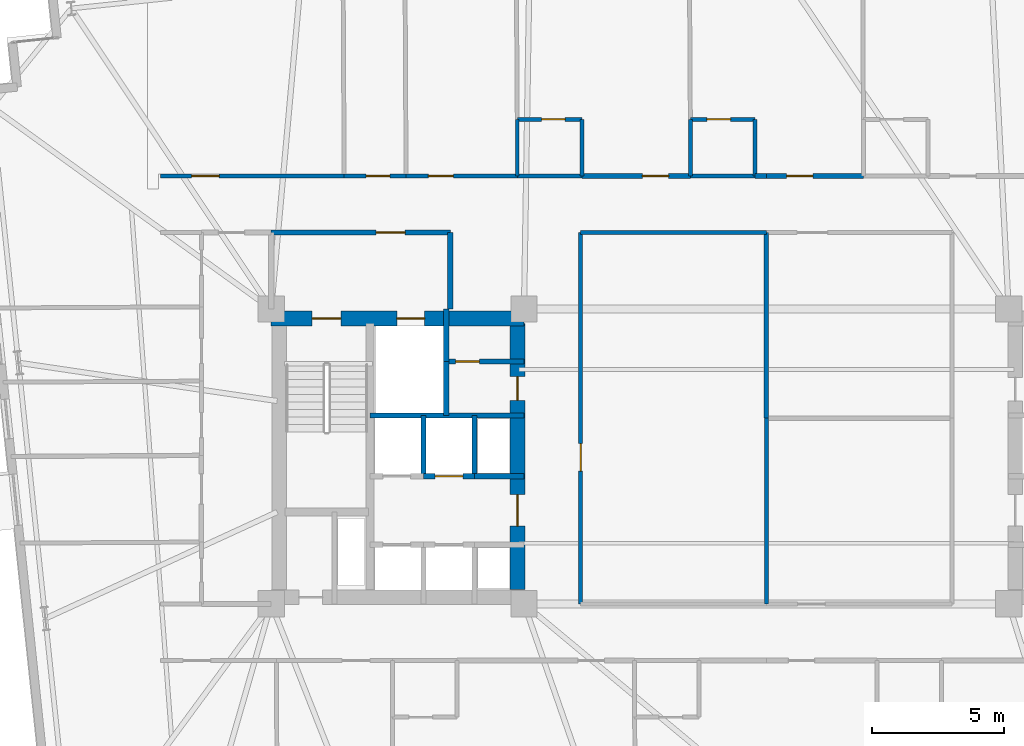
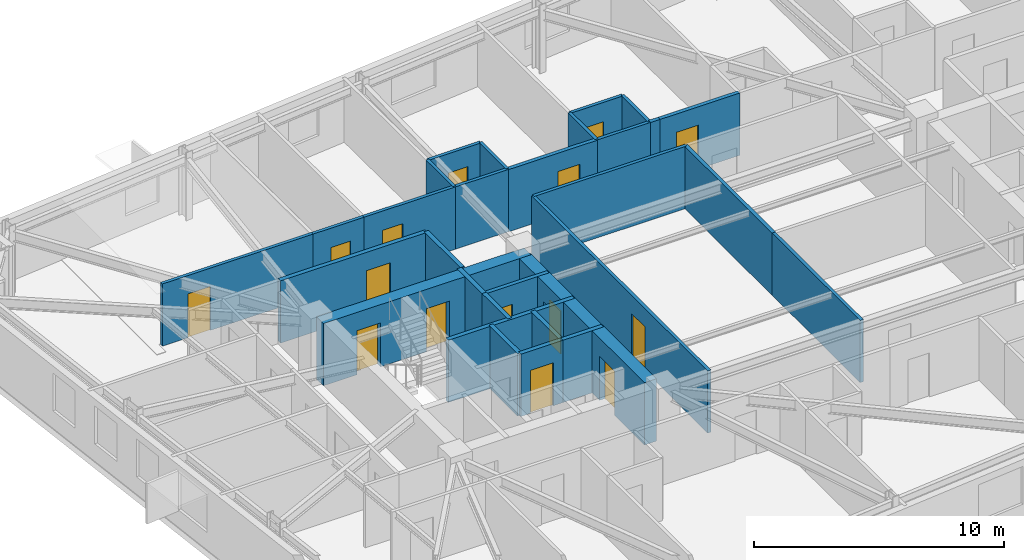
# One storey, part 13 of 19: 30 walls, 15 doors, 15 openings.
"""IFC4 building model written with IfcOpenShell, lengths in metres."""

from ifc_helpers import new_model, si_unit, direction, frame, frame_2d, origin, place, context, subcontext, project, spatial, rectangle, extrude, material, layer, layer_set, type_object, element, fill, save


model = new_model("IFC4")

# Units and contexts
model_context = context("Model", 3, precision=1e-05, world=origin(), true_north=direction((0.0, 1.0)))
body_context = subcontext(model_context, "Body", "Model", "MODEL_VIEW")
ifc_project = project(units=[si_unit("LENGTHUNIT", "METRE"), si_unit("AREAUNIT", "SQUARE_METRE"), si_unit("VOLUMEUNIT", "CUBIC_METRE"), si_unit("PLANEANGLEUNIT", "RADIAN"), si_unit("MASSUNIT", "GRAM", prefix="KILO")], contexts=[model_context])

# Site, building, storey
site_placement = place(None, origin())
site = spatial("IfcSite", under=ifc_project, at=site_placement, CompositionType="ELEMENT")
building_placement = place(site_placement, origin())
building = spatial("IfcBuilding", under=site, at=building_placement, Name="Qobustan Lattice House", CompositionType="ELEMENT")
storey_placement = place(building_placement, frame((0.0, 0.0, 82.35009765625)))
storey = spatial("IfcBuildingStorey", under=building, at=storey_placement, Name="L22", CompositionType="ELEMENT", Elevation=82.35009765625)

# Wall, openings, doors
ifc_material_1 = material(Name="Concrete C60/75", Category="concrete")
ifc_layer_1 = layer(ifc_material_1, 0.56005859375)
ifc_layer_set_1 = layer_set([ifc_layer_1], Name="Concrete C60/75")
wall_type_1 = type_object("IfcWallType", Name="WAL-CORE-600", PredefinedType="SHEAR", material=ifc_layer_set_1)
wall_1_placement = place(storey_placement, frame((-18.800048828125, 5.239990234375, 0.0), z_axis=(0.0, 0.0, 1.0), x_axis=(1.0, 0.0, 0.0)))
wall_1 = element("IfcWall", 1, at=wall_1_placement, inside=storey, type_object=wall_type_1, Name="L22 split-core shear wall CW-N", PredefinedType="SHEAR", context=body_context, shape_type="SweptSolid", body=[
    extrude(rectangle(XDim=9.60009765625, YDim=0.56005859375, at=frame_2d((4.800048828125, 0.0))), origin(), (0.0, 0.0, 1.0), 3.044921875),
])
opening_1_placement = place(wall_1_placement, frame((1.550048828125, 0.0, 0.0)))
opening_1 = element("IfcOpeningElement", 2, at=opening_1_placement, cuts=wall_1, Name="Opening SD-01", PredefinedType="OPENING", context=body_context, shape_type="SweptSolid", body=[
    extrude(rectangle(XDim=1.10009765625, YDim=2.14990234375, at=frame_2d((0.550048828125, 1.074951171875))), frame((0.0, 0.2900390625, 0.0), z_axis=(0.0, -1.0, 0.0), x_axis=(1.0, 0.0, 0.0)), (0.0, 0.0, 1.0), 0.580078125),
])
opening_2_placement = place(wall_1_placement, frame((4.77490234375, 0.0, 0.0)))
opening_2 = element("IfcOpeningElement", 3, at=opening_2_placement, cuts=wall_1, Name="Opening LD-01", PredefinedType="OPENING", context=body_context, shape_type="SweptSolid", body=[
    extrude(rectangle(XDim=1.050048828125, YDim=2.10009765625, at=frame_2d((0.52490234375, 1.050048828125))), frame((0.0, 0.2900390625, 0.0), z_axis=(0.0, -1.0, 0.0), x_axis=(1.0, 0.0, 0.0)), (0.0, 0.0, 1.0), 0.580078125),
])
ifc_material_2 = material(Name="Persian walnut timber and steel frame door", Category="steel")
door_type_1 = type_object("IfcDoorType", Name="DOR-LIFT-LD-1050x2100", OperationType="NOTDEFINED", PredefinedType="DOOR", material=ifc_material_2)
door_1_placement = place(opening_2_placement, origin())
door_1 = element("IfcDoor", 4, at=door_1_placement, inside=storey, type_object=door_type_1, Name="L22 firefighting lift FF-W landing door", OperationType="DOUBLE_DOOR_SLIDING", OverallHeight=2.10009765625, OverallWidth=1.050048828125, PredefinedType="DOOR", context=body_context, shape_type="SweptSolid", body=[
    extrude(rectangle(XDim=1.050048828125, YDim=2.10009765625, at=frame_2d((0.52490234375, 1.050048828125))), frame((0.0, 0.02490234375, 0.0), z_axis=(0.0, -1.0, 0.0), x_axis=(1.0, 0.0, 0.0)), (0.0, 0.0, 1.0), 0.050048828125),
])
fill(opening_2, door_1)
ifc_material_3 = material(Name="Persian walnut timber and steel frame door", Category="steel")
door_type_2 = type_object("IfcDoorType", Name="DOR-STAIR-FD-1100x2150", OperationType="NOTDEFINED", PredefinedType="DOOR", material=ifc_material_3)
door_2_placement = place(opening_1_placement, origin())
door_2 = element("IfcDoor", 5, at=door_2_placement, inside=storey, type_object=door_type_2, Name="L22 exit stair ST-W1 fire door", OperationType="SINGLE_SWING_LEFT", OverallHeight=2.14990234375, OverallWidth=1.10009765625, PredefinedType="DOOR", context=body_context, shape_type="SweptSolid", body=[
    extrude(rectangle(XDim=1.10009765625, YDim=2.14990234375, at=frame_2d((0.550048828125, 1.074951171875))), frame((0.0, 0.02490234375, 0.0), z_axis=(0.0, -1.0, 0.0), x_axis=(1.0, 0.0, 0.0)), (0.0, 0.0, 1.0), 0.050048828125),
])
fill(opening_1, door_2)

wall_2_placement = place(storey_placement, frame((-9.449951171875, -5.050048828125, 0.0), z_axis=(0.0, 0.0, 1.0), x_axis=(0.0, 1.0, 0.0)))
wall_2 = element("IfcWall", 6, at=wall_2_placement, inside=storey, type_object=wall_type_1, Name="L22 split-core shear wall CW-E", PredefinedType="SHEAR", context=body_context, shape_type="SweptSolid", body=[
    extrude(rectangle(XDim=10.10009765625, YDim=0.56005859375, at=frame_2d((5.050048828125, 0.0))), origin(), (0.0, 0.0, 1.0), 3.044921875),
])
opening_3_placement = place(wall_2_placement, frame((7.175048828125, 0.0, 0.0)))
opening_3 = element("IfcOpeningElement", 7, at=opening_3_placement, cuts=wall_2, Name="Opening RD-01", PredefinedType="OPENING", context=body_context, shape_type="SweptSolid", body=[
    extrude(rectangle(XDim=0.89990234375, YDim=2.10009765625, at=frame_2d((0.449951171875, 1.050048828125))), frame((0.0, 0.2900390625, 0.0), z_axis=(0.0, -1.0, 0.0), x_axis=(1.0, 0.0, 0.0)), (0.0, 0.0, 1.0), 0.580078125),
])
opening_4_placement = place(wall_2_placement, frame((2.39990234375, 0.0, 0.0)))
opening_4 = element("IfcOpeningElement", 8, at=opening_4_placement, cuts=wall_2, Name="Opening FD-01", PredefinedType="OPENING", context=body_context, shape_type="SweptSolid", body=[
    extrude(rectangle(XDim=1.199951171875, YDim=2.14990234375, at=frame_2d((0.60009765625, 1.074951171875))), frame((0.0, 0.2900390625, 0.0), z_axis=(0.0, -1.0, 0.0), x_axis=(1.0, 0.0, 0.0)), (0.0, 0.0, 1.0), 0.580078125),
])
ifc_material_4 = material(Name="Persian walnut timber and steel frame door", Category="steel")
door_type_3 = type_object("IfcDoorType", Name="DOR-LOBBY-FD-1200x2150", OperationType="NOTDEFINED", PredefinedType="DOOR", material=ifc_material_4)
door_3_placement = place(opening_4_placement, origin())
door_3 = element("IfcDoor", 9, at=door_3_placement, inside=storey, type_object=door_type_3, Name="L22 West passenger lift lobby fire door", OperationType="SINGLE_SWING_RIGHT", OverallHeight=2.14990234375, OverallWidth=1.199951171875, PredefinedType="DOOR", context=body_context, shape_type="SweptSolid", body=[
    extrude(rectangle(XDim=1.199951171875, YDim=2.14990234375, at=frame_2d((0.60009765625, 1.074951171875))), frame((0.0, 0.02490234375, 0.0), z_axis=(0.0, -1.0, 0.0), x_axis=(1.0, 0.0, 0.0)), (0.0, 0.0, 1.0), 0.050048828125),
])
fill(opening_4, door_3)
ifc_material_5 = material(Name="Persian walnut timber and steel frame door", Category="steel")
door_type_4 = type_object("IfcDoorType", Name="DOR-RISER-FD-900x2100", OperationType="NOTDEFINED", PredefinedType="DOOR", material=ifc_material_5)
door_4_placement = place(opening_3_placement, origin())
door_4 = element("IfcDoor", 10, at=door_4_placement, inside=storey, type_object=door_type_4, Name="L22 Core utility lobby fire door", OperationType="SINGLE_SWING_LEFT", OverallHeight=2.10009765625, OverallWidth=0.89990234375, PredefinedType="DOOR", context=body_context, shape_type="SweptSolid", body=[
    extrude(rectangle(XDim=0.89990234375, YDim=2.10009765625, at=frame_2d((0.449951171875, 1.050048828125))), frame((0.0, 0.02490234375, 0.0), z_axis=(0.0, -1.0, 0.0), x_axis=(1.0, 0.0, 0.0)), (0.0, 0.0, 1.0), 0.050048828125),
])
fill(opening_3, door_4)

# Wall, opening, door
ifc_material_6 = material(Name="Gypsum fireboard acoustic partition", Category="gypsum")
ifc_layer_2 = layer(ifc_material_6, 0.179931640625)
ifc_layer_set_2 = layer_set([ifc_layer_2], Name="Gypsum fireboard acoustic partition")
wall_type_2 = type_object("IfcWallType", Name="WAL-FIRE-180", PredefinedType="PARTITIONING", material=ifc_layer_set_2)
wall_3_placement = place(storey_placement, frame((-9.199951171875, 3.60009765625, 0.0), z_axis=(0.0, 0.0, 1.0), x_axis=(-1.0, 0.0, 0.0)))
wall_3 = element("IfcWall", 11, at=wall_3_placement, inside=storey, type_object=wall_type_2, Name="L22 interior partition 7", PredefinedType="PARTITIONING", context=body_context, shape_type="SweptSolid", body=[
    extrude(rectangle(XDim=2.949951171875, YDim=0.179931640625, at=frame_2d((1.47509765625, 0.0))), origin(), (0.0, 0.0, 1.0), 3.044921875),
])
opening_5_placement = place(wall_3_placement, frame((1.699951171875, 0.0, 0.0)))
opening_5 = element("IfcOpeningElement", 12, at=opening_5_placement, cuts=wall_3, Name="Opening RD-01", PredefinedType="OPENING", context=body_context, shape_type="SweptSolid", body=[
    extrude(rectangle(XDim=0.89990234375, YDim=2.10009765625, at=frame_2d((0.449951171875, 1.050048828125))), frame((0.0, 0.099853515625, 0.0), z_axis=(0.0, -1.0, 0.0), x_axis=(1.0, 0.0, 0.0)), (0.0, 0.0, 1.0), 0.199951171875),
])
door_5_placement = place(opening_5_placement, origin())
door_5 = element("IfcDoor", 13, at=door_5_placement, inside=storey, type_object=door_type_4, Name="L22 Core utility lobby to Cleaner store door", OperationType="SINGLE_SWING_RIGHT", OverallHeight=2.10009765625, OverallWidth=0.89990234375, PredefinedType="DOOR", context=body_context, shape_type="SweptSolid", body=[
    extrude(rectangle(XDim=0.89990234375, YDim=2.10009765625, at=frame_2d((0.449951171875, 1.050048828125))), frame((0.0, 0.02490234375, 0.0), z_axis=(0.0, -1.0, 0.0), x_axis=(1.0, 0.0, 0.0)), (0.0, 0.0, 1.0), 0.050048828125),
])
fill(opening_5, door_5)

wall_4_placement = place(storey_placement, frame((-7.007080078125, 10.64990234375, 0.0), z_axis=(0.0, 0.0, 1.0), x_axis=(1.0, 0.0, 0.0)))
wall_4 = element("IfcWall", 14, at=wall_4_placement, inside=storey, type_object=wall_type_2, Name="L22 interior partition 42", PredefinedType="PARTITIONING", context=body_context, shape_type="SweptSolid", body=[
    extrude(rectangle(XDim=4.12109375, YDim=0.179931640625, at=frame_2d((2.060546875, 0.0))), origin(), (0.0, 0.0, 1.0), 3.044921875),
])
opening_6_placement = place(wall_4_placement, frame((2.2958984375, 0.0, 0.0)))
opening_6 = element("IfcOpeningElement", 15, at=opening_6_placement, cuts=wall_4, Name="Opening FD-02", PredefinedType="OPENING", context=body_context, shape_type="SweptSolid", body=[
    extrude(rectangle(XDim=1.0, YDim=2.14990234375, at=frame_2d((0.5, 1.074951171875))), frame((0.0, 0.099853515625, 0.0), z_axis=(0.0, -1.0, 0.0), x_axis=(1.0, 0.0, 0.0)), (0.0, 0.0, 1.0), 0.199951171875),
])
ifc_material_7 = material(Name="Persian walnut timber and steel frame door", Category="steel")
door_type_5 = type_object("IfcDoorType", Name="DOR-UNIT-FD-1000x2150", OperationType="NOTDEFINED", PredefinedType="DOOR", material=ifc_material_7)
door_6_placement = place(opening_6_placement, origin())
door_6 = element("IfcDoor", 16, at=door_6_placement, inside=storey, type_object=door_type_5, Name="L22 North-west floor corridor to Kitchenette and studio apartment L22-N3 door", OperationType="SINGLE_SWING_RIGHT", OverallHeight=2.14990234375, OverallWidth=1.0, PredefinedType="DOOR", context=body_context, shape_type="SweptSolid", body=[
    extrude(rectangle(XDim=1.0, YDim=2.14990234375, at=frame_2d((0.5, 1.074951171875))), frame((0.0, 0.02490234375, 0.0), z_axis=(0.0, -1.0, 0.0), x_axis=(1.0, 0.0, 0.0)), (0.0, 0.0, 1.0), 0.050048828125),
])
fill(opening_6, door_6)

# Wall
wall_5_placement = place(storey_placement, frame((-0.43603515625, 10.64990234375, 0.0), z_axis=(0.0, 0.0, 1.0), x_axis=(1.0, 0.0, 0.0)))
element("IfcWall", 17, at=wall_5_placement, inside=storey, type_object=wall_type_2, Name="L22 interior partition 44", PredefinedType="PARTITIONING", context=body_context, shape_type="SweptSolid", body=[
    extrude(rectangle(XDim=0.43603515625, YDim=0.179931640625, at=frame_2d((0.218017578125, 0.0))), origin(), (0.0, 0.0, 1.0), 3.044921875),
])

# Wall, opening, door
wall_6_placement = place(storey_placement, frame((0.0, 10.64990234375, 0.0), z_axis=(0.0, 0.0, 1.0), x_axis=(1.0, 0.0, 0.0)))
wall_6 = element("IfcWall", 18, at=wall_6_placement, inside=storey, type_object=wall_type_2, Name="L22 interior partition 49", PredefinedType="PARTITIONING", context=body_context, shape_type="SweptSolid", body=[
    extrude(rectangle(XDim=3.68603515625, YDim=0.179931640625, at=frame_2d((1.843017578125, 0.0))), origin(), (0.0, 0.0, 1.0), 3.044921875),
])
opening_7_placement = place(wall_6_placement, frame((0.770751953125, 0.0, 0.0)))
opening_7 = element("IfcOpeningElement", 19, at=opening_7_placement, cuts=wall_6, Name="Opening FD-02", PredefinedType="OPENING", context=body_context, shape_type="SweptSolid", body=[
    extrude(rectangle(XDim=1.0, YDim=2.14990234375, at=frame_2d((0.5, 1.074951171875))), frame((0.0, 0.099853515625, 0.0), z_axis=(0.0, -1.0, 0.0), x_axis=(1.0, 0.0, 0.0)), (0.0, 0.0, 1.0), 0.199951171875),
])
door_7_placement = place(opening_7_placement, origin())
door_7 = element("IfcDoor", 20, at=door_7_placement, inside=storey, type_object=door_type_5, Name="L22 North-east floor corridor to Kitchenette and studio apartment L22-N4 door", OperationType="SINGLE_SWING_RIGHT", OverallHeight=2.14990234375, OverallWidth=1.0, PredefinedType="DOOR", context=body_context, shape_type="SweptSolid", body=[
    extrude(rectangle(XDim=1.0, YDim=2.14990234375, at=frame_2d((0.5, 1.074951171875))), frame((0.0, 0.02490234375, 0.0), z_axis=(0.0, -1.0, 0.0), x_axis=(1.0, 0.0, 0.0)), (0.0, 0.0, 1.0), 0.050048828125),
])
fill(opening_7, door_7)

ifc_material_8 = material(Name="Acoustic twin-stud gypsum partition", Category="gypsum")
ifc_layer_3 = layer(ifc_material_8, 0.14990234375)
ifc_layer_set_3 = layer_set([ifc_layer_3], Name="Acoustic twin-stud gypsum partition")
wall_type_3 = type_object("IfcWallType", Name="WAL-PART-150", PredefinedType="PARTITIONING", material=ifc_layer_set_3)
wall_7_placement = place(storey_placement, frame((-23.0, 10.64990234375, 0.0), z_axis=(0.0, 0.0, 1.0), x_axis=(1.0, 0.0, 0.0)))
wall_7 = element("IfcWall", 21, at=wall_7_placement, inside=storey, type_object=wall_type_3, Name="L22 interior partition 39", PredefinedType="PARTITIONING", context=body_context, shape_type="SweptSolid", body=[
    extrude(rectangle(XDim=6.970947265625, YDim=0.14990234375, at=frame_2d((3.4853515625, 0.0))), origin(), (0.0, 0.0, 1.0), 3.044921875),
])
opening_8_placement = place(wall_7_placement, frame((1.175048828125, 0.0, 0.0)))
opening_8 = element("IfcOpeningElement", 22, at=opening_8_placement, cuts=wall_7, Name="Opening ID-02", PredefinedType="OPENING", context=body_context, shape_type="SweptSolid", body=[
    extrude(rectangle(XDim=1.050048828125, YDim=2.14990234375, at=frame_2d((0.52490234375, 1.074951171875))), frame((0.0, 0.0849609375, 0.0), z_axis=(0.0, -1.0, 0.0), x_axis=(1.0, 0.0, 0.0)), (0.0, 0.0, 1.0), 0.169921875),
])
ifc_material_9 = material(Name="Persian walnut timber and steel frame door", Category="steel")
door_type_6 = type_object("IfcDoorType", Name="DOR-STUDY-1050x2150", OperationType="NOTDEFINED", PredefinedType="DOOR", material=ifc_material_9)
door_8_placement = place(opening_8_placement, origin())
door_8 = element("IfcDoor", 23, at=door_8_placement, inside=storey, type_object=door_type_6, Name="L22 North-west floor corridor to Focus study room N1 door", OperationType="SINGLE_SWING_LEFT", OverallHeight=2.14990234375, OverallWidth=1.050048828125, PredefinedType="DOOR", context=body_context, shape_type="SweptSolid", body=[
    extrude(rectangle(XDim=1.050048828125, YDim=2.14990234375, at=frame_2d((0.52490234375, 1.074951171875))), frame((0.0, 0.02490234375, 0.0), z_axis=(0.0, -1.0, 0.0), x_axis=(1.0, 0.0, 0.0)), (0.0, 0.0, 1.0), 0.050048828125),
])
fill(opening_8, door_8)

wall_8_placement = place(storey_placement, frame((-13.678955078125, 10.64990234375, 0.0), z_axis=(0.0, 0.0, 1.0), x_axis=(1.0, 0.0, 0.0)))
wall_8 = element("IfcWall", 24, at=wall_8_placement, inside=storey, type_object=wall_type_3, Name="L22 interior partition 41", PredefinedType="PARTITIONING", context=body_context, shape_type="SweptSolid", body=[
    extrude(rectangle(XDim=4.221923828125, YDim=0.14990234375, at=frame_2d((2.11083984375, 0.0))), origin(), (0.0, 0.0, 1.0), 3.044921875),
])
opening_9_placement = place(wall_8_placement, frame((0.843994140625, 0.0, 0.0)))
opening_9 = element("IfcOpeningElement", 25, at=opening_9_placement, cuts=wall_8, Name="Opening ID-01", PredefinedType="OPENING", context=body_context, shape_type="SweptSolid", body=[
    extrude(rectangle(XDim=0.949951171875, YDim=2.10009765625, at=frame_2d((0.47509765625, 1.050048828125))), frame((0.0, 0.0849609375, 0.0), z_axis=(0.0, -1.0, 0.0), x_axis=(1.0, 0.0, 0.0)), (0.0, 0.0, 1.0), 0.169921875),
])
ifc_material_10 = material(Name="Persian walnut timber and steel frame door", Category="steel")
door_type_7 = type_object("IfcDoorType", Name="DOR-ROOM-950x2100", OperationType="NOTDEFINED", PredefinedType="DOOR", material=ifc_material_10)
door_9_placement = place(opening_9_placement, origin())
door_9 = element("IfcDoor", 26, at=door_9_placement, inside=storey, type_object=door_type_7, Name="L22 North-west floor corridor to Laundry utility room door", OperationType="SINGLE_SWING_LEFT", OverallHeight=2.10009765625, OverallWidth=0.949951171875, PredefinedType="DOOR", context=body_context, shape_type="SweptSolid", body=[
    extrude(rectangle(XDim=0.949951171875, YDim=2.10009765625, at=frame_2d((0.47509765625, 1.050048828125))), frame((0.0, 0.02490234375, 0.0), z_axis=(0.0, -1.0, 0.0), x_axis=(1.0, 0.0, 0.0)), (0.0, 0.0, 1.0), 0.050048828125),
])
fill(opening_9, door_9)

# Wall
wall_9_placement = place(storey_placement, frame((0.0, 8.5, 0.0), z_axis=(0.0, 0.0, 1.0), x_axis=(-1.0, 0.0, 0.0)))
element("IfcWall", 27, at=wall_9_placement, inside=storey, type_object=wall_type_3, Name="L22 interior partition 46", PredefinedType="PARTITIONING", context=body_context, shape_type="SweptSolid", body=[
    extrude(rectangle(XDim=7.050048828125, YDim=0.14990234375, at=frame_2d((3.52490234375, 0.0))), origin(), (0.0, 0.0, 1.0), 3.044921875),
])

# Wall, opening, door
wall_10_placement = place(storey_placement, frame((-7.050048828125, 8.5, 0.0), z_axis=(0.0, 0.0, 1.0), x_axis=(0.0, -1.0, 0.0)))
wall_10 = element("IfcWall", 28, at=wall_10_placement, inside=storey, type_object=wall_type_3, Name="L22 interior partition 72", PredefinedType="PARTITIONING", context=body_context, shape_type="SweptSolid", body=[
    extrude(rectangle(XDim=14.10009765625, YDim=0.14990234375, at=frame_2d((7.050048828125, 0.0))), origin(), (0.0, 0.0, 1.0), 3.044921875),
])
opening_10_placement = place(wall_10_placement, frame((8.01123046875, 0.0, 0.0)))
opening_10 = element("IfcOpeningElement", 29, at=opening_10_placement, cuts=wall_10, Name="Opening ID-02", PredefinedType="OPENING", context=body_context, shape_type="SweptSolid", body=[
    extrude(rectangle(XDim=1.050048828125, YDim=2.14990234375, at=frame_2d((0.52490234375, 1.074951171875))), frame((0.0, 0.0849609375, 0.0), z_axis=(0.0, -1.0, 0.0), x_axis=(1.0, 0.0, 0.0)), (0.0, 0.0, 1.0), 0.169921875),
])
door_10_placement = place(opening_10_placement, origin())
door_10 = element("IfcDoor", 30, at=door_10_placement, inside=storey, type_object=door_type_6, Name="L22 West floor link corridor to Central silent study room door", OperationType="SINGLE_SWING_RIGHT", OverallHeight=2.14990234375, OverallWidth=1.050048828125, PredefinedType="DOOR", context=body_context, shape_type="SweptSolid", body=[
    extrude(rectangle(XDim=1.050048828125, YDim=2.14990234375, at=frame_2d((0.52490234375, 1.074951171875))), frame((0.0, 0.02490234375, 0.0), z_axis=(0.0, -1.0, 0.0), x_axis=(1.0, 0.0, 0.0)), (0.0, 0.0, 1.0), 0.050048828125),
])
fill(opening_10, door_10)

# Walls
wall_11_placement = place(storey_placement, frame((0.0, 1.449951171875, 0.0), z_axis=(0.0, 0.0, 1.0), x_axis=(0.0, -1.0, 0.0)))
element("IfcWall", 31, at=wall_11_placement, inside=storey, type_object=wall_type_3, Name="L22 interior partition 129", PredefinedType="PARTITIONING", context=body_context, shape_type="SweptSolid", body=[
    extrude(rectangle(XDim=7.050048828125, YDim=0.14990234375, at=frame_2d((3.52490234375, 0.0))), origin(), (0.0, 0.0, 1.0), 3.044921875),
])
ifc_material_11 = material(Name="High-mass acoustic twin-stud partition", Category="gypsum")
ifc_layer_4 = layer(ifc_material_11, 0.1650390625)
ifc_layer_set_4 = layer_set([ifc_layer_4], Name="High-mass acoustic twin-stud partition")
wall_type_4 = type_object("IfcWallType", Name="WAL-PART-165", PredefinedType="PARTITIONING", material=ifc_layer_set_4)
wall_12_placement = place(storey_placement, frame((0.0, 8.5, 0.0), z_axis=(0.0, 0.0, 1.0), x_axis=(0.0, -1.0, 0.0)))
element("IfcWall", 32, at=wall_12_placement, inside=storey, type_object=wall_type_4, Name="L22 interior partition 130", PredefinedType="PARTITIONING", context=body_context, shape_type="SweptSolid", body=[
    extrude(rectangle(XDim=7.050048828125, YDim=0.1650390625, at=frame_2d((3.52490234375, 0.0))), origin(), (0.0, 0.0, 1.0), 3.044921875),
])

# Wall, opening, door
ifc_material_12 = material(Name="Two-hour gypsum fireboard acoustic partition", Category="gypsum")
ifc_layer_5 = layer(ifc_material_12, 0.199951171875)
ifc_layer_set_5 = layer_set([ifc_layer_5], Name="Two-hour gypsum fireboard acoustic partition")
wall_type_5 = type_object("IfcWallType", Name="WAL-PROT-200", PredefinedType="PARTITIONING", material=ifc_layer_set_5)
wall_13_placement = place(storey_placement, frame((-12.0, 8.5, 0.0), z_axis=(0.0, 0.0, 1.0), x_axis=(-1.0, 0.0, 0.0)))
wall_13 = element("IfcWall", 33, at=wall_13_placement, inside=storey, type_object=wall_type_5, Name="L22 interior partition 4", PredefinedType="PARTITIONING", context=body_context, shape_type="SweptSolid", body=[
    extrude(rectangle(XDim=6.800048828125, YDim=0.199951171875, at=frame_2d((3.39990234375, 0.0))), origin(), (0.0, 0.0, 1.0), 3.044921875),
])
opening_11_placement = place(wall_13_placement, frame((1.715087890625, 0.0, 0.0)))
opening_11 = element("IfcOpeningElement", 34, at=opening_11_placement, cuts=wall_13, Name="Opening SD-01", PredefinedType="OPENING", context=body_context, shape_type="SweptSolid", body=[
    extrude(rectangle(XDim=1.10009765625, YDim=2.14990234375, at=frame_2d((0.550048828125, 1.074951171875))), frame((0.0, 0.10986328125, 0.0), z_axis=(0.0, -1.0, 0.0), x_axis=(1.0, 0.0, 0.0)), (0.0, 0.0, 1.0), 0.219970703125),
])
door_11_placement = place(opening_11_placement, origin())
door_11 = element("IfcDoor", 35, at=door_11_placement, inside=storey, type_object=door_type_2, Name="L22 West firefighting lift lobby to North-west floor corridor door", OperationType="SINGLE_SWING_LEFT", OverallHeight=2.14990234375, OverallWidth=1.10009765625, PredefinedType="DOOR", context=body_context, shape_type="SweptSolid", body=[
    extrude(rectangle(XDim=1.10009765625, YDim=2.14990234375, at=frame_2d((0.550048828125, 1.074951171875))), frame((0.0, 0.02490234375, 0.0), z_axis=(0.0, -1.0, 0.0), x_axis=(1.0, 0.0, 0.0)), (0.0, 0.0, 1.0), 0.050048828125),
])
fill(opening_11, door_11)

# Walls
wall_14_placement = place(storey_placement, frame((-12.0, 5.60009765625, 0.0), z_axis=(0.0, 0.0, 1.0), x_axis=(0.0, 1.0, 0.0)))
element("IfcWall", 36, at=wall_14_placement, inside=storey, type_object=wall_type_5, Name="L22 interior partition 5", PredefinedType="PARTITIONING", context=body_context, shape_type="SweptSolid", body=[
    extrude(rectangle(XDim=2.89990234375, YDim=0.199951171875, at=frame_2d((1.449951171875, 0.0))), origin(), (0.0, 0.0, 1.0), 3.044921875),
])
ifc_material_13 = material(Name="Concrete C40/50", Category="concrete")
ifc_layer_6 = layer(ifc_material_13, 0.199951171875)
ifc_layer_set_6 = layer_set([ifc_layer_6], Name="Concrete C40/50")
wall_type_6 = type_object("IfcWallType", Name="WAL-SHAFT-200", PredefinedType="PARTITIONING", material=ifc_layer_set_6)
wall_15_placement = place(storey_placement, frame((-12.14990234375, 1.550048828125, 0.0), z_axis=(0.0, 0.0, 1.0), x_axis=(0.0, 1.0, 0.0)))
element("IfcWall", 37, at=wall_15_placement, inside=storey, type_object=wall_type_6, Name="L22 interior partition 2", PredefinedType="PARTITIONING", context=body_context, shape_type="SweptSolid", body=[
    extrude(rectangle(XDim=2.050048828125, YDim=0.199951171875, at=frame_2d((1.02490234375, 0.0))), origin(), (0.0, 0.0, 1.0), 3.044921875),
])
wall_16_placement = place(storey_placement, frame((-12.14990234375, 3.60009765625, 0.0), z_axis=(0.0, 0.0, 1.0), x_axis=(0.0, 1.0, 0.0)))
element("IfcWall", 38, at=wall_16_placement, inside=storey, type_object=wall_type_6, Name="L22 interior partition 3", PredefinedType="PARTITIONING", context=body_context, shape_type="SweptSolid", body=[
    extrude(rectangle(XDim=2.0, YDim=0.199951171875, at=frame_2d((1.0, 0.0))), origin(), (0.0, 0.0, 1.0), 3.044921875),
])

# Wall, opening, door
wall_17_placement = place(storey_placement, frame((-11.080078125, -0.75, 0.0), z_axis=(0.0, 0.0, 1.0), x_axis=(-1.0, 0.0, 0.0)))
wall_17 = element("IfcWall", 39, at=wall_17_placement, inside=storey, type_object=wall_type_6, Name="L22 interior partition 13", PredefinedType="PARTITIONING", context=body_context, shape_type="SweptSolid", body=[
    extrude(rectangle(XDim=1.93994140625, YDim=0.199951171875, at=frame_2d((0.969970703125, 0.0))), origin(), (0.0, 0.0, 1.0), 3.044921875),
])
opening_12_placement = place(wall_17_placement, frame((0.445068359375, 0.0, 0.0)))
opening_12 = element("IfcOpeningElement", 40, at=opening_12_placement, cuts=wall_17, Name="Opening LD-01", PredefinedType="OPENING", context=body_context, shape_type="SweptSolid", body=[
    extrude(rectangle(XDim=1.050048828125, YDim=2.10009765625, at=frame_2d((0.52490234375, 1.050048828125))), frame((0.0, 0.10986328125, 0.0), z_axis=(0.0, -1.0, 0.0), x_axis=(1.0, 0.0, 0.0)), (0.0, 0.0, 1.0), 0.219970703125),
])
door_12_placement = place(opening_12_placement, origin())
door_12 = element("IfcDoor", 41, at=door_12_placement, inside=storey, type_object=door_type_1, Name="L22 lift landing door", OperationType="DOUBLE_DOOR_SLIDING", OverallHeight=2.10009765625, OverallWidth=1.050048828125, PredefinedType="DOOR", context=body_context, shape_type="SweptSolid", body=[
    extrude(rectangle(XDim=1.050048828125, YDim=2.10009765625, at=frame_2d((0.52490234375, 1.050048828125))), frame((0.0, 0.02490234375, 0.0), z_axis=(0.0, -1.0, 0.0), x_axis=(1.0, 0.0, 0.0)), (0.0, 0.0, 1.0), 0.050048828125),
])
fill(opening_12, door_12)

# Walls
wall_18_placement = place(storey_placement, frame((-9.199951171875, -0.75, 0.0), z_axis=(0.0, 0.0, 1.0), x_axis=(-1.0, 0.0, 0.0)))
element("IfcWall", 42, at=wall_18_placement, inside=storey, type_object=wall_type_6, Name="L22 interior partition 14", PredefinedType="PARTITIONING", context=body_context, shape_type="SweptSolid", body=[
    extrude(rectangle(XDim=1.880126953125, YDim=0.199951171875, at=frame_2d((0.93994140625, 0.0))), origin(), (0.0, 0.0, 1.0), 3.044921875),
])
for number, where, z_axis, x_axis, name in (
    (43, (-13.02001953125, -0.75, 0.0), (0.0, 0.0, 1.0), (0.0, 1.0, 0.0), "L22 interior partition 18"),
    (44, (-11.080078125, -0.75, 0.0), (0.0, 0.0, 1.0), (0.0, 1.0, 0.0), "L22 interior partition 19"),
):
    element("IfcWall", number, at=place(storey_placement, frame(where, z_axis=z_axis, x_axis=x_axis)), inside=storey, type_object=wall_type_6, Name=name, PredefinedType="PARTITIONING", context=body_context, shape_type="SweptSolid", body=[
        extrude(rectangle(XDim=2.300048828125, YDim=0.199951171875, at=frame_2d((1.14990234375, 0.0))), origin(), (0.0, 0.0, 1.0), 3.044921875),
    ])
wall_19_placement = place(storey_placement, frame((-15.050048828125, 1.550048828125, 0.0), z_axis=(0.0, 0.0, 1.0), x_axis=(1.0, 0.0, 0.0)))
element("IfcWall", 45, at=wall_19_placement, inside=storey, type_object=wall_type_6, Name="L22 interior partition 132", PredefinedType="PARTITIONING", context=body_context, shape_type="SweptSolid", body=[
    extrude(rectangle(XDim=5.85009765625, YDim=0.199951171875, at=frame_2d((2.925048828125, 0.0))), origin(), (0.0, 0.0, 1.0), 3.044921875),
])

# Wall, opening, door
ifc_material_14 = material(Name="Moisture-resistant acoustic plumbing wall", Category="gypsum")
ifc_layer_7 = layer(ifc_material_14, 0.14990234375)
ifc_layer_set_7 = layer_set([ifc_layer_7], Name="Moisture-resistant acoustic plumbing wall")
wall_type_7 = type_object("IfcWallType", Name="WAL-WET-150", PredefinedType="PLUMBINGWALL", material=ifc_layer_set_7)
wall_20_placement = place(storey_placement, frame((-16.029052734375, 10.64990234375, 0.0), z_axis=(0.0, 0.0, 1.0), x_axis=(1.0, 0.0, 0.0)))
wall_20 = element("IfcWall", 46, at=wall_20_placement, inside=storey, type_object=wall_type_7, Name="L22 interior partition 40", PredefinedType="PLUMBINGWALL", context=body_context, shape_type="SweptSolid", body=[
    extrude(rectangle(XDim=2.35009765625, YDim=0.14990234375, at=frame_2d((1.175048828125, 0.0))), origin(), (0.0, 0.0, 1.0), 3.044921875),
])
opening_13_placement = place(wall_20_placement, frame((0.833740234375, 0.0, 0.0)))
opening_13 = element("IfcOpeningElement", 47, at=opening_13_placement, cuts=wall_20, Name="Opening WD-01", PredefinedType="OPENING", context=body_context, shape_type="SweptSolid", body=[
    extrude(rectangle(XDim=0.89990234375, YDim=2.10009765625, at=frame_2d((0.449951171875, 1.050048828125))), frame((0.0, 0.0849609375, 0.0), z_axis=(0.0, -1.0, 0.0), x_axis=(1.0, 0.0, 0.0)), (0.0, 0.0, 1.0), 0.169921875),
])
ifc_material_15 = material(Name="Persian walnut timber and steel frame door", Category="steel")
door_type_8 = type_object("IfcDoorType", Name="DOR-WET-900x2100", OperationType="NOTDEFINED", PredefinedType="DOOR", material=ifc_material_15)
door_13_placement = place(opening_13_placement, origin())
door_13 = element("IfcDoor", 48, at=door_13_placement, inside=storey, type_object=door_type_8, Name="L22 North-west floor corridor to Accessible WC door", OperationType="SINGLE_SWING_RIGHT", OverallHeight=2.10009765625, OverallWidth=0.89990234375, PredefinedType="DOOR", context=body_context, shape_type="SweptSolid", body=[
    extrude(rectangle(XDim=0.89990234375, YDim=2.10009765625, at=frame_2d((0.449951171875, 1.050048828125))), frame((0.0, 0.02490234375, 0.0), z_axis=(0.0, -1.0, 0.0), x_axis=(1.0, 0.0, 0.0)), (0.0, 0.0, 1.0), 0.050048828125),
])
fill(opening_13, door_13)

# Walls
for number, where, z_axis, x_axis, name in (
    (49, (-9.45703125, 10.64990234375, 0.0), (0.0, 0.0, 1.0), (1.0, 0.0, 0.0), "L22 interior partition 43"),
    (50, (-2.885986328125, 10.64990234375, 0.0), (0.0, 0.0, 1.0), (1.0, 0.0, 0.0), "L22 interior partition 45"),
):
    element("IfcWall", number, at=place(storey_placement, frame(where, z_axis=z_axis, x_axis=x_axis)), inside=storey, type_object=wall_type_7, Name=name, PredefinedType="PLUMBINGWALL", context=body_context, shape_type="SweptSolid", body=[
        extrude(rectangle(XDim=2.449951171875, YDim=0.14990234375, at=frame_2d((1.22509765625, 0.0))), origin(), (0.0, 0.0, 1.0), 3.044921875),
    ])
wall_21_placement = place(storey_placement, frame((-9.45703125, 12.800048828125, 0.0), z_axis=(0.0, 0.0, 1.0), x_axis=(0.0, -1.0, 0.0)))
element("IfcWall", 51, at=wall_21_placement, inside=storey, type_object=wall_type_7, Name="L22 interior partition 99", PredefinedType="PLUMBINGWALL", context=body_context, shape_type="SweptSolid", body=[
    extrude(rectangle(XDim=2.150146484375, YDim=0.14990234375, at=frame_2d((1.0751953125, 0.0))), origin(), (0.0, 0.0, 1.0), 3.044921875),
])

# Wall, opening, door
wall_22_placement = place(storey_placement, frame((-7.007080078125, 12.800048828125, 0.0), z_axis=(0.0, 0.0, 1.0), x_axis=(-1.0, 0.0, 0.0)))
wall_22 = element("IfcWall", 52, at=wall_22_placement, inside=storey, type_object=wall_type_7, Name="L22 interior partition 100", PredefinedType="PLUMBINGWALL", context=body_context, shape_type="SweptSolid", body=[
    extrude(rectangle(XDim=2.449951171875, YDim=0.14990234375, at=frame_2d((1.22509765625, 0.0))), origin(), (0.0, 0.0, 1.0), 3.044921875),
])
opening_14_placement = place(wall_22_placement, frame((0.62890625, 0.0, 0.0)))
opening_14 = element("IfcOpeningElement", 53, at=opening_14_placement, cuts=wall_22, Name="Opening WD-01", PredefinedType="OPENING", context=body_context, shape_type="SweptSolid", body=[
    extrude(rectangle(XDim=0.89990234375, YDim=2.10009765625, at=frame_2d((0.449951171875, 1.050048828125))), frame((0.0, 0.0849609375, 0.0), z_axis=(0.0, -1.0, 0.0), x_axis=(1.0, 0.0, 0.0)), (0.0, 0.0, 1.0), 0.169921875),
])
door_14_placement = place(opening_14_placement, origin())
door_14 = element("IfcDoor", 54, at=door_14_placement, inside=storey, type_object=door_type_8, Name="L22 Kitchenette and studio apartment L22-N3 to En-suite bathroom L22-N3 door", OperationType="SINGLE_SWING_RIGHT", OverallHeight=2.10009765625, OverallWidth=0.89990234375, PredefinedType="DOOR", context=body_context, shape_type="SweptSolid", body=[
    extrude(rectangle(XDim=0.89990234375, YDim=2.10009765625, at=frame_2d((0.449951171875, 1.050048828125))), frame((0.0, 0.02490234375, 0.0), z_axis=(0.0, -1.0, 0.0), x_axis=(1.0, 0.0, 0.0)), (0.0, 0.0, 1.0), 0.050048828125),
])
fill(opening_14, door_14)

# Walls
for number, where, z_axis, x_axis, name in (
    (55, (-7.007080078125, 10.64990234375, 0.0), (0.0, 0.0, 1.0), (0.0, 1.0, 0.0), "L22 interior partition 101"),
    (56, (-2.885986328125, 12.800048828125, 0.0), (0.0, 0.0, 1.0), (0.0, -1.0, 0.0), "L22 interior partition 103"),
):
    element("IfcWall", number, at=place(storey_placement, frame(where, z_axis=z_axis, x_axis=x_axis)), inside=storey, type_object=wall_type_7, Name=name, PredefinedType="PLUMBINGWALL", context=body_context, shape_type="SweptSolid", body=[
        extrude(rectangle(XDim=2.150146484375, YDim=0.14990234375, at=frame_2d((1.0751953125, 0.0))), origin(), (0.0, 0.0, 1.0), 3.044921875),
    ])

# Wall, opening, door
wall_23_placement = place(storey_placement, frame((-0.43603515625, 12.800048828125, 0.0), z_axis=(0.0, 0.0, 1.0), x_axis=(-1.0, 0.0, 0.0)))
wall_23 = element("IfcWall", 57, at=wall_23_placement, inside=storey, type_object=wall_type_7, Name="L22 interior partition 104", PredefinedType="PLUMBINGWALL", context=body_context, shape_type="SweptSolid", body=[
    extrude(rectangle(XDim=2.449951171875, YDim=0.14990234375, at=frame_2d((1.22509765625, 0.0))), origin(), (0.0, 0.0, 1.0), 3.044921875),
])
opening_15_placement = place(wall_23_placement, frame((0.92138671875, 0.0, 0.0)))
opening_15 = element("IfcOpeningElement", 58, at=opening_15_placement, cuts=wall_23, Name="Opening WD-01", PredefinedType="OPENING", context=body_context, shape_type="SweptSolid", body=[
    extrude(rectangle(XDim=0.89990234375, YDim=2.10009765625, at=frame_2d((0.449951171875, 1.050048828125))), frame((0.0, 0.0849609375, 0.0), z_axis=(0.0, -1.0, 0.0), x_axis=(1.0, 0.0, 0.0)), (0.0, 0.0, 1.0), 0.169921875),
])
door_15_placement = place(opening_15_placement, origin())
door_15 = element("IfcDoor", 59, at=door_15_placement, inside=storey, type_object=door_type_8, Name="L22 Kitchenette and studio apartment L22-N4 to En-suite bathroom L22-N4 door", OperationType="SINGLE_SWING_LEFT", OverallHeight=2.10009765625, OverallWidth=0.89990234375, PredefinedType="DOOR", context=body_context, shape_type="SweptSolid", body=[
    extrude(rectangle(XDim=0.89990234375, YDim=2.10009765625, at=frame_2d((0.449951171875, 1.050048828125))), frame((0.0, 0.02490234375, 0.0), z_axis=(0.0, -1.0, 0.0), x_axis=(1.0, 0.0, 0.0)), (0.0, 0.0, 1.0), 0.050048828125),
])
fill(opening_15, door_15)

# Wall
wall_24_placement = place(storey_placement, frame((-0.43603515625, 10.64990234375, 0.0), z_axis=(0.0, 0.0, 1.0), x_axis=(0.0, 1.0, 0.0)))
element("IfcWall", 60, at=wall_24_placement, inside=storey, type_object=wall_type_7, Name="L22 interior partition 105", PredefinedType="PLUMBINGWALL", context=body_context, shape_type="SweptSolid", body=[
    extrude(rectangle(XDim=2.150146484375, YDim=0.14990234375, at=frame_2d((1.0751953125, 0.0))), origin(), (0.0, 0.0, 1.0), 3.044921875),
])

save(model, "model.ifc")
